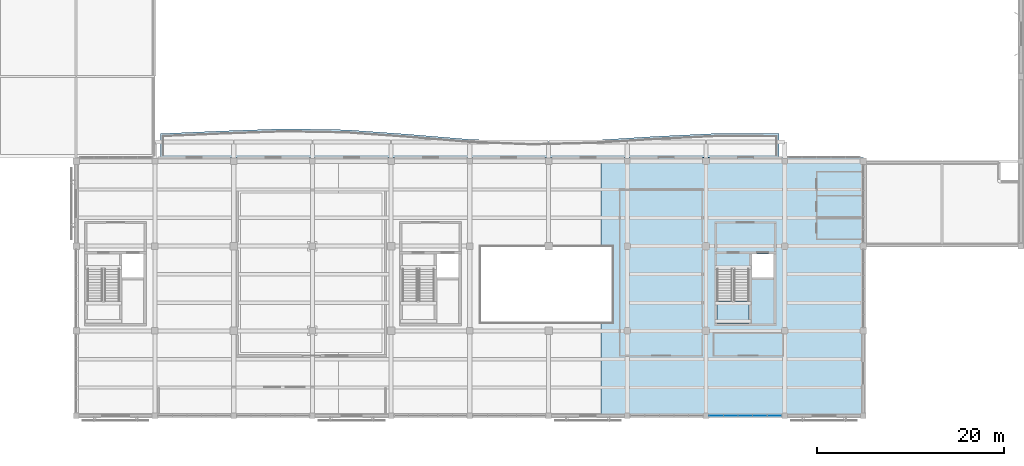
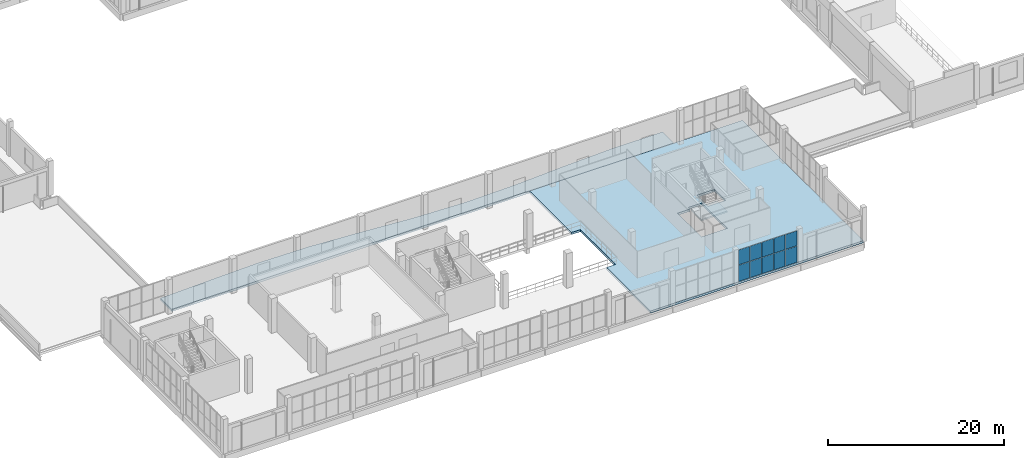
# One storey, part 46 of 80: 10 plates, 3 slabs, 2 elements without a shape of their own.
"""IFC4 building model written with IfcOpenShell, lengths in metres."""

from ifc_helpers import new_model, si_unit, direction, frame, origin, origin_2d, place, context, subcontext, project, spatial, polyline, rectangle, outline, extrude, material, layer, layer_set, type_object, element, aggregate, save


model = new_model("IFC4")

# Units and contexts
model_context = context("Model", 3, precision=1e-05, world=origin(), true_north=direction((0.0, 1.0)))
body_context = subcontext(model_context, "Body", "Model", "MODEL_VIEW")
ifc_project = project(units=[si_unit("LENGTHUNIT", "METRE"), si_unit("AREAUNIT", "SQUARE_METRE"), si_unit("VOLUMEUNIT", "CUBIC_METRE"), si_unit("PLANEANGLEUNIT", "RADIAN"), si_unit("MASSUNIT", "GRAM", prefix="KILO")], contexts=[model_context])

# Site, building, storey
site_placement = place(None, origin())
site = spatial("IfcSite", under=ifc_project, at=site_placement, CompositionType="ELEMENT")
building_placement = place(site_placement, origin())
building = spatial("IfcBuilding", under=site, at=building_placement, Name="Khurvash Pelagic Aquarium", CompositionType="ELEMENT")
storey_placement = place(building_placement, frame((0.0, 0.0, 10.800048828125)))
storey = spatial("IfcBuildingStorey", under=building, at=storey_placement, Name="L02", CompositionType="ELEMENT", Elevation=10.800048828125)

# Curtain wall, plates
ifc_material_1 = material(Name="Anodised aluminium and low-E laminated glass", Category="aluminium")
curtain_wall_type = type_object("IfcCurtainWallType", Name="CW-06", PredefinedType="USERDEFINED", material=ifc_material_1)
curtain_wall_placement = place(storey_placement, origin())
curtain_wall = element("IfcCurtainWall", 1, at=curtain_wall_placement, inside=storey, type_object=curtain_wall_type, Name="L02 Facade Unitised Curtain Wall CW-06 0156", ObjectType="UNITISED CURTAIN WALL", PredefinedType="USERDEFINED")
ifc_material_2 = material(Name="Low-E laminated double glazing", Category="glass")
ifc_layer_1 = layer(ifc_material_2, 0.030029296875)
ifc_layer_set_1 = layer_set([ifc_layer_1], Name="Low-E laminated double glazing")
plate_type = type_object("IfcPlateType", Name="CG-06", PredefinedType="CURTAIN_PANEL", material=ifc_layer_set_1)
plate_1_placement = place(storey_placement, frame((93.4990234375, 2.60009765625, 0.06005859375), z_axis=(0.0, 0.0, 1.0), x_axis=(1.0, 0.0, 0.0)))
plate_1 = element("IfcPlate", 2, at=plate_1_placement, type_object=plate_type, Name="CW-06 panel 1.1", PredefinedType="CURTAIN_PANEL", context=body_context, shape_type="SweptSolid", body=[
    extrude(rectangle(XDim=1.468017578125, YDim=0.030029296875, at=origin_2d()), origin(), (0.0, 0.0, 1.0), 2.25),
])
plate_2_placement = place(storey_placement, frame((93.4990234375, 2.60009765625, 2.3701171875), z_axis=(0.0, 0.0, 1.0), x_axis=(1.0, 0.0, 0.0)))
plate_2 = element("IfcPlate", 3, at=plate_2_placement, type_object=plate_type, Name="CW-06 panel 1.2", PredefinedType="CURTAIN_PANEL", context=body_context, shape_type="SweptSolid", body=[
    extrude(rectangle(XDim=1.468017578125, YDim=0.030029296875, at=origin_2d()), origin(), (0.0, 0.0, 1.0), 2.070068359375),
])
plate_3_placement = place(storey_placement, frame((95.0419921875, 2.60009765625, 0.06005859375), z_axis=(0.0, 0.0, 1.0), x_axis=(1.0, 0.0, 0.0)))
plate_3 = element("IfcPlate", 4, at=plate_3_placement, type_object=plate_type, Name="CW-06 panel 2.1", PredefinedType="CURTAIN_PANEL", context=body_context, shape_type="SweptSolid", body=[
    extrude(rectangle(XDim=1.498046875, YDim=0.030029296875, at=origin_2d()), origin(), (0.0, 0.0, 1.0), 2.25),
])
plate_4_placement = place(storey_placement, frame((95.0419921875, 2.60009765625, 2.3701171875), z_axis=(0.0, 0.0, 1.0), x_axis=(1.0, 0.0, 0.0)))
plate_4 = element("IfcPlate", 5, at=plate_4_placement, type_object=plate_type, Name="CW-06 panel 2.2", PredefinedType="CURTAIN_PANEL", context=body_context, shape_type="SweptSolid", body=[
    extrude(rectangle(XDim=1.498046875, YDim=0.030029296875, at=origin_2d()), origin(), (0.0, 0.0, 1.0), 2.070068359375),
])
plate_5_placement = place(storey_placement, frame((96.60009765625, 2.60009765625, 0.06005859375), z_axis=(0.0, 0.0, 1.0), x_axis=(1.0, 0.0, 0.0)))
plate_5 = element("IfcPlate", 6, at=plate_5_placement, type_object=plate_type, Name="CW-06 panel 3.1", PredefinedType="CURTAIN_PANEL", context=body_context, shape_type="SweptSolid", body=[
    extrude(rectangle(XDim=1.498046875, YDim=0.030029296875, at=origin_2d()), origin(), (0.0, 0.0, 1.0), 2.25),
])
plate_6_placement = place(storey_placement, frame((96.60009765625, 2.60009765625, 2.3701171875), z_axis=(0.0, 0.0, 1.0), x_axis=(1.0, 0.0, 0.0)))
plate_6 = element("IfcPlate", 7, at=plate_6_placement, type_object=plate_type, Name="CW-06 panel 3.2", PredefinedType="CURTAIN_PANEL", context=body_context, shape_type="SweptSolid", body=[
    extrude(rectangle(XDim=1.498046875, YDim=0.030029296875, at=origin_2d()), origin(), (0.0, 0.0, 1.0), 2.070068359375),
])
plate_7_placement = place(storey_placement, frame((98.157958984375, 2.60009765625, 0.06005859375), z_axis=(0.0, 0.0, 1.0), x_axis=(1.0, 0.0, 0.0)))
plate_7 = element("IfcPlate", 8, at=plate_7_placement, type_object=plate_type, Name="CW-06 panel 4.1", PredefinedType="CURTAIN_PANEL", context=body_context, shape_type="SweptSolid", body=[
    extrude(rectangle(XDim=1.498046875, YDim=0.030029296875, at=origin_2d()), origin(), (0.0, 0.0, 1.0), 2.25),
])
plate_8_placement = place(storey_placement, frame((98.157958984375, 2.60009765625, 2.3701171875), z_axis=(0.0, 0.0, 1.0), x_axis=(1.0, 0.0, 0.0)))
plate_8 = element("IfcPlate", 9, at=plate_8_placement, type_object=plate_type, Name="CW-06 panel 4.2", PredefinedType="CURTAIN_PANEL", context=body_context, shape_type="SweptSolid", body=[
    extrude(rectangle(XDim=1.498046875, YDim=0.030029296875, at=origin_2d()), origin(), (0.0, 0.0, 1.0), 2.070068359375),
])
plate_9_placement = place(storey_placement, frame((99.700927734375, 2.60009765625, 0.06005859375), z_axis=(0.0, 0.0, 1.0), x_axis=(1.0, 0.0, 0.0)))
plate_9 = element("IfcPlate", 10, at=plate_9_placement, type_object=plate_type, Name="CW-06 panel 5.1", PredefinedType="CURTAIN_PANEL", context=body_context, shape_type="SweptSolid", body=[
    extrude(rectangle(XDim=1.468017578125, YDim=0.030029296875, at=origin_2d()), origin(), (0.0, 0.0, 1.0), 2.25),
])
plate_10_placement = place(storey_placement, frame((99.700927734375, 2.60009765625, 2.3701171875), z_axis=(0.0, 0.0, 1.0), x_axis=(1.0, 0.0, 0.0)))
plate_10 = element("IfcPlate", 11, at=plate_10_placement, type_object=plate_type, Name="CW-06 panel 5.2", PredefinedType="CURTAIN_PANEL", context=body_context, shape_type="SweptSolid", body=[
    extrude(rectangle(XDim=1.468017578125, YDim=0.030029296875, at=origin_2d()), origin(), (0.0, 0.0, 1.0), 2.070068359375),
])
aggregate(curtain_wall, [plate_1, plate_2, plate_3, plate_4, plate_5, plate_6, plate_7, plate_8, plate_9, plate_10])

# Slab
ifc_material_3 = material(Name="Concrete C40/50", Category="concrete")
ifc_layer_2 = layer(ifc_material_3, 0.300048828125)
ifc_layer_set_2 = layer_set([ifc_layer_2], Name="Concrete C40/50")
slab_type_1 = type_object("IfcSlabType", Name="FS-300", PredefinedType="FLOOR", material=ifc_layer_set_2)
slab_1_placement = place(storey_placement, frame((0.0, 0.0, -0.300048828125)))
element("IfcSlab", 12, at=slab_1_placement, inside=storey, type_object=slab_type_1, Name="L02 Structural Floor Slab FS-300 V3_SOUTH.3", PredefinedType="FLOOR", context=body_context, shape_type="SweptSolid", body=[
    extrude(outline(polyline([(81.199951171875, 2.60009765625), (109.199951171875, 2.60009765625), (109.199951171875, 30.14990234375), (81.199951171875, 30.14990234375), (81.199951171875, 20.60009765625), (82.39990234375, 20.60009765625), (82.39990234375, 12.60009765625), (81.199951171875, 12.60009765625), (81.199951171875, 2.60009765625)]), holes=[polyline([(95.199951171875, 18.25), (97.0, 18.25), (97.0, 12.449951171875), (93.60009765625, 12.449951171875), (93.60009765625, 17.8701171875), (95.199951171875, 17.8701171875), (95.199951171875, 18.25)]), polyline([(99.60009765625, 17.35009765625), (97.300048828125, 17.35009765625), (97.300048828125, 19.85009765625), (99.60009765625, 19.85009765625), (99.60009765625, 17.35009765625)])]), origin(), (0.0, 0.0, 1.0), 0.300048828125),
])

# Stair, slab
ifc_material_4 = material(Name="Concrete C35/45", Category="concrete")
stair_type = type_object("IfcStairType", Name="ST-03", PredefinedType="HALF_TURN_STAIR", material=ifc_material_4)
stair_placement = place(storey_placement, origin())
stair = element("IfcStair", 13, at=stair_placement, inside=storey, type_object=stair_type, Name="L02 Protected Exit Stair ST-03", PredefinedType="HALF_TURN_STAIR")
ifc_layer_3 = layer(ifc_material_4, 0.199951171875)
ifc_layer_set_3 = layer_set([ifc_layer_3], Name="Concrete C35/45")
slab_type_2 = type_object("IfcSlabType", Name="SL-LND-200", PredefinedType="LANDING", material=ifc_layer_set_3)
slab_2_placement = place(storey_placement, frame((0.0, 0.0, 2.199951171875)))
slab_2 = element("IfcSlab", 14, at=slab_2_placement, type_object=slab_type_2, Name="ST-03 landing 1", PredefinedType="LANDING", context=body_context, shape_type="SweptSolid", body=[
    extrude(outline(polyline([(93.60009765625, 14.830078125), (93.60009765625, 12.449951171875), (97.0, 12.449951171875), (97.0, 14.830078125), (93.60009765625, 14.830078125)])), origin(), (0.0, 0.0, 1.0), 0.199951171875),
])
aggregate(stair, [slab_2])

# Slab
ifc_material_5 = material(Name="Water-retaining concrete C40/50", Category="concrete")
ifc_layer_4 = layer(ifc_material_5, 0.320068359375)
ifc_layer_set_4 = layer_set([ifc_layer_4], Name="Water-retaining concrete C40/50")
slab_type_3 = type_object("IfcSlabType", Name="TR-320", PredefinedType="FLOOR", material=ifc_layer_set_4)
slab_3_placement = place(storey_placement, frame((0.0, 0.0, -0.320068359375)))
element("IfcSlab", 15, at=slab_3_placement, inside=storey, type_object=slab_type_3, Name="L02 Planted Monsoon Terrace Slab TR-320 TERR_L02_S", PredefinedType="FLOOR", context=body_context, shape_type="SweptSolid", body=[
    extrude(outline(polyline([(34.199951171875, 30.14990234375), (53.199951171875, 30.14990234375), (81.199951171875, 30.14990234375), (100.199951171875, 30.14990234375), (100.199951171875, 32.699951171875), (93.60009765625, 32.720947265625), (87.0, 32.405029296875), (80.39990234375, 31.988037109375), (73.800048828125, 31.822998046875), (67.199951171875, 32.087890625), (60.60009765625, 32.635009765625), (54.0, 33.10595703125), (47.39990234375, 33.217041015625), (40.800048828125, 32.985107421875), (34.199951171875, 32.699951171875), (34.199951171875, 30.14990234375)])), origin(), (0.0, 0.0, 1.0), 0.320068359375),
])

save(model, "model.ifc")
